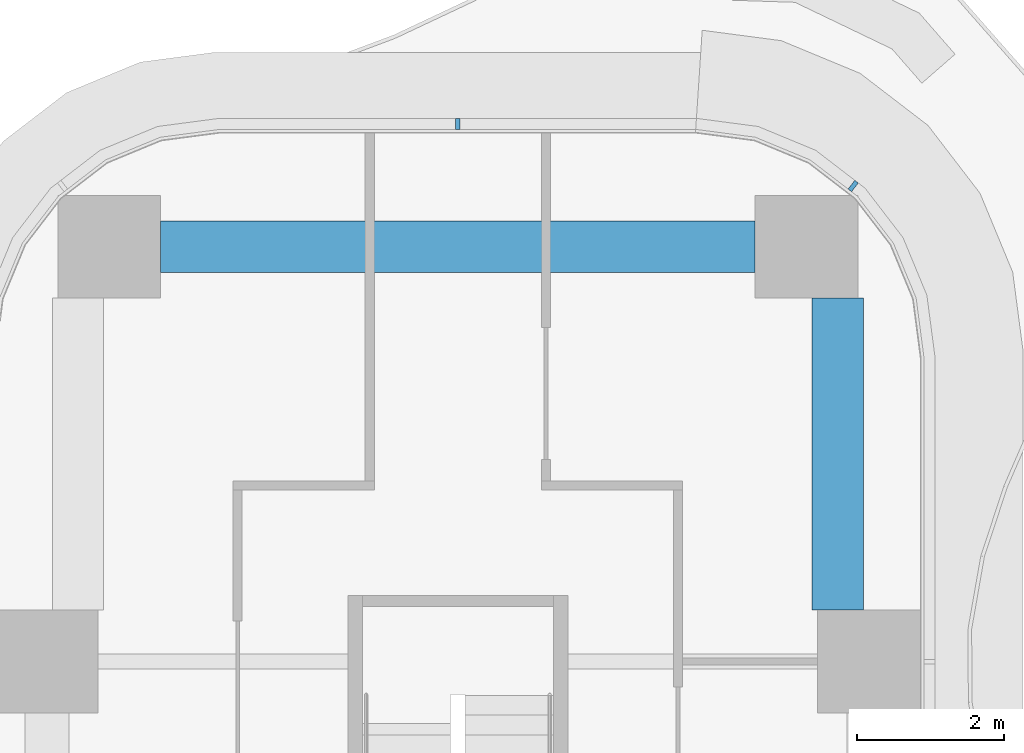
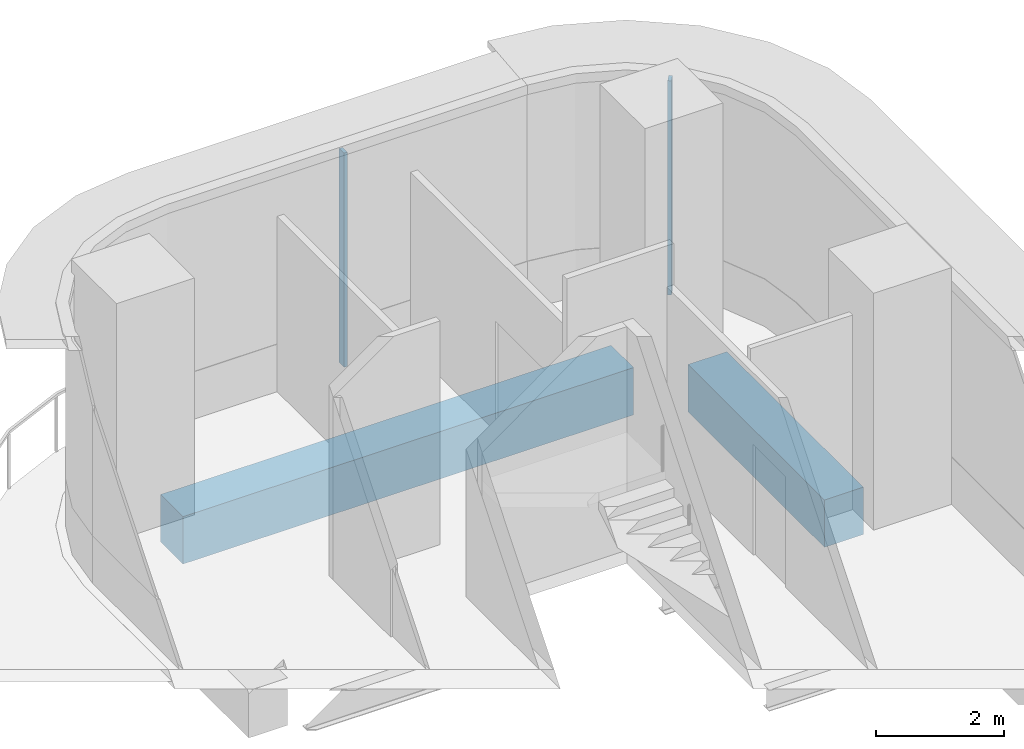
# One storey, part 12 of 23: 2 beams, 2 members, 2 elements without a shape of their own.
"""IFC4 building model written with IfcOpenShell, lengths in metres."""

from ifc_helpers import new_model, si_unit, direction, frame, origin, origin_2d, place, context, subcontext, project, spatial, rectangle, extrude, source, transform, mapped, material, layer, layer_set, material_profile, profile_set, type_object, element, aggregate, save


model = new_model("IFC4")

# Units and contexts
model_context = context("Model", 3, precision=1e-05, world=origin(), true_north=direction((0.0, 1.0)))
body_context = subcontext(model_context, "Body", "Model", "MODEL_VIEW")
ifc_project = project(units=[si_unit("LENGTHUNIT", "METRE"), si_unit("AREAUNIT", "SQUARE_METRE"), si_unit("VOLUMEUNIT", "CUBIC_METRE"), si_unit("PLANEANGLEUNIT", "RADIAN"), si_unit("MASSUNIT", "GRAM", prefix="KILO")], contexts=[model_context])

# Site, building, storey
site_placement = place(None, origin())
site = spatial("IfcSite", under=ifc_project, at=site_placement, CompositionType="ELEMENT")
building_placement = place(site_placement, origin())
building = spatial("IfcBuilding", under=site, at=building_placement, Name="Trellis Farm Tower", CompositionType="ELEMENT")
storey_placement = place(building_placement, frame((0.0, 0.0, 74.5)))
storey = spatial("IfcBuildingStorey", under=building, at=storey_placement, Name="L15", CompositionType="ELEMENT", Elevation=74.5)

# Beams
ifc_material_1 = material(Name="Concrete C60/75", Category="concrete")
ifc_material_profile_1 = material_profile(ifc_material_1, rectangle(XDim=0.699951171875, YDim=0.89990234375, at=origin_2d()), Name="RC spandrel beam 700x900 C60/75")
ifc_profile_set_1 = profile_set([ifc_material_profile_1], Name="Concrete C60/75")
beam_type = type_object("IfcBeamType", Name="RC spandrel beam 700x900 C60/75", PredefinedType="SPANDREL", material=ifc_profile_set_1)
shared_shape_1 = source(origin(), body_context, "Body", "SweptSolid", [
    extrude(rectangle(XDim=0.699951171875, YDim=0.89990234375, at=origin_2d()), origin(), (0.0, 0.0, 1.0), 4.25),
])
beam_1_placement = place(storey_placement, frame((5.175048828125, 19.300048828125, -0.699951171875), z_axis=(0.0, 1.0, 0.0), x_axis=(-1.0, 0.0, 0.0)))
element("IfcBeam", 1, at=beam_1_placement, inside=storey, type_object=beam_type, Name="Girder", PredefinedType="SPANDREL", context=body_context, shape_type="MappedRepresentation", body=[
    mapped(shared_shape_1, transform((0.0, 0.0, 0.0))),
])
shared_shape_2 = source(origin(), body_context, "Body", "SweptSolid", [
    extrude(rectangle(XDim=0.699951171875, YDim=0.89990234375, at=origin_2d()), origin(), (0.0, 0.0, 1.0), 8.10009765625),
])
beam_2_placement = place(storey_placement, frame((-4.050048828125, 24.25, -0.699951171875), z_axis=(1.0, 0.0, 0.0), x_axis=(0.0, 1.0, 0.0)))
element("IfcBeam", 2, at=beam_2_placement, inside=storey, type_object=beam_type, Name="Girder", PredefinedType="SPANDREL", context=body_context, shape_type="MappedRepresentation", body=[
    mapped(shared_shape_2, transform((0.0, 0.0, 0.0))),
])

# Curtain wall, member
ifc_material_2 = material(Name="Aluminium and glass curtain wall", Category="aluminium")
ifc_layer = layer(ifc_material_2, 0.18994140625)
ifc_layer_set = layer_set([ifc_layer], Name="RIBBON CURTAIN WALL CW1")
curtain_wall_type = type_object("IfcCurtainWallType", Name="RIBBON CURTAIN WALL CW1", PredefinedType="NOTDEFINED", material=ifc_layer_set)
placement = place(storey_placement, origin())
curtain_wall_1 = element("IfcCurtainWall", 3, at=placement, inside=storey, type_object=curtain_wall_type, Name="CW1 009", PredefinedType="NOTDEFINED")
ifc_material_3 = material(Name="Aluminium extrusion 6063-T6", Category="aluminium")
ifc_material_profile_2 = material_profile(ifc_material_3, rectangle(XDim=0.06005859375, YDim=0.14990234375, at=origin_2d()), Name="MULLION 60x150")
ifc_profile_set_2 = profile_set([ifc_material_profile_2], Name="Aluminium extrusion 6063-T6")
member_type = type_object("IfcMemberType", Name="CW1 MULLION 60x150", PredefinedType="MULLION", material=ifc_profile_set_2)
shared_shape_3 = source(origin(), body_context, "Body", "SweptSolid", [
    extrude(rectangle(XDim=0.06005859375, YDim=0.14990234375, at=origin_2d()), origin(), (0.0, 0.0, 1.0), 4.070068359375),
])
member_1_placement = place(storey_placement, frame((5.385498046875, 25.078369140625, 0.0), z_axis=(0.0, 0.0, 1.0), x_axis=(-0.793353340291, 0.608761429009, 0.0)))
member_1 = element("IfcMember", 4, at=member_1_placement, type_object=member_type, Name="MU1 009-03", PredefinedType="MULLION", context=body_context, shape_type="MappedRepresentation", body=[
    mapped(shared_shape_3, transform((0.0, 0.0, 0.0))),
])
aggregate(curtain_wall_1, [member_1])

curtain_wall_2 = element("IfcCurtainWall", 5, at=placement, inside=storey, type_object=curtain_wall_type, Name="CW1 010", PredefinedType="NOTDEFINED")
member_2_placement = place(storey_placement, frame((0.0, 25.925048828125, 0.0), z_axis=(0.0, 0.0, 1.0), x_axis=(-1.0, 0.0, 0.0)))
member_2 = element("IfcMember", 6, at=member_2_placement, type_object=member_type, Name="MU1 010-01", PredefinedType="MULLION", context=body_context, shape_type="MappedRepresentation", body=[
    mapped(shared_shape_3, transform((0.0, 0.0, 0.0))),
])
aggregate(curtain_wall_2, [member_2])

save(model, "model.ifc")
